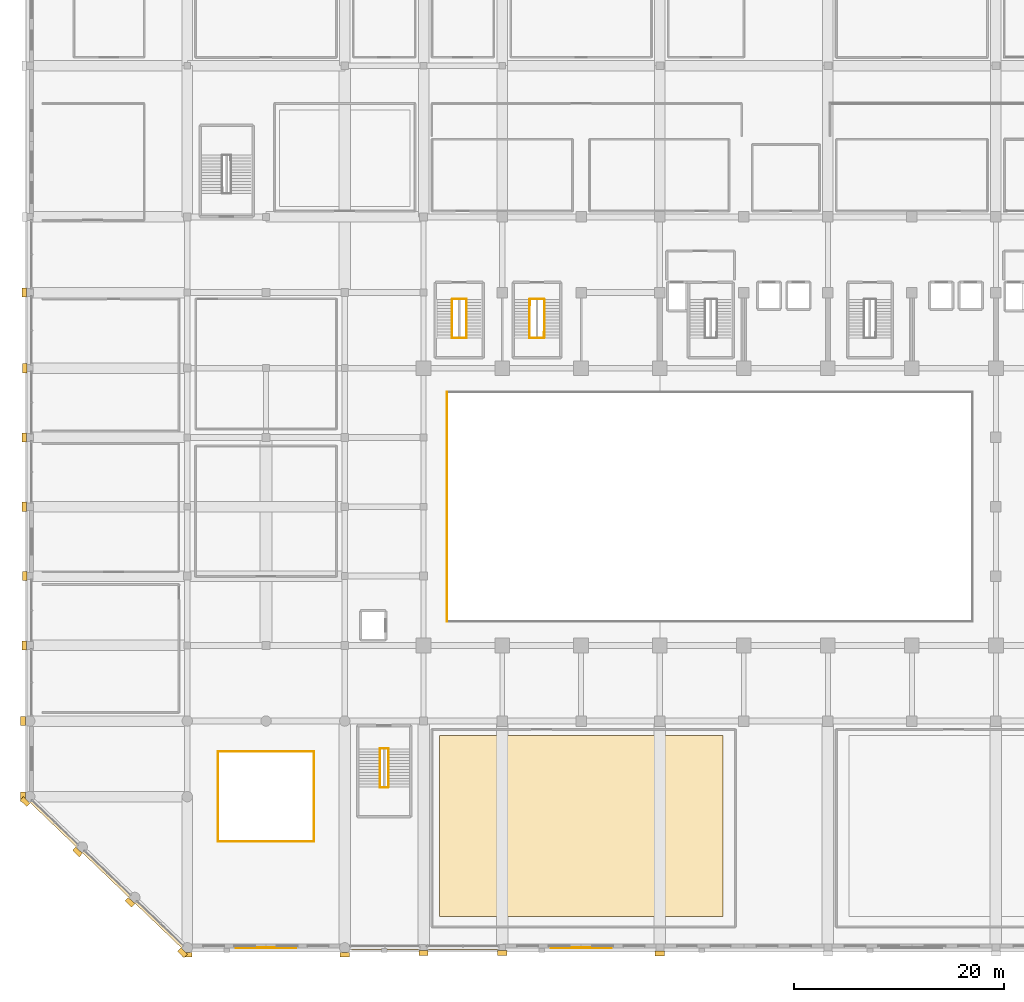
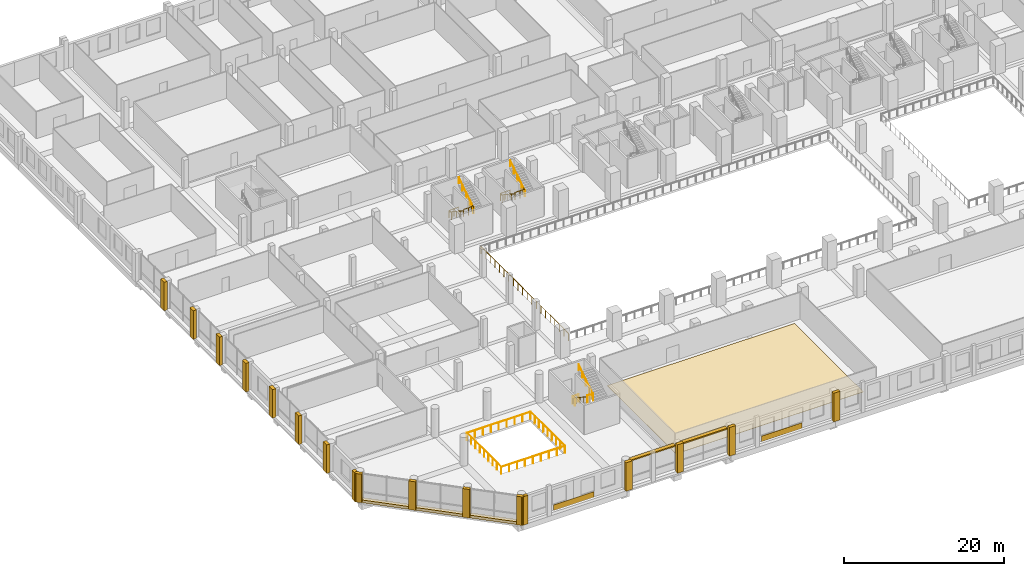
# One storey, part 56 of 64: 21 coverings, 17 railings, 2 shading devices.
"""IFC4 building model written with IfcOpenShell, lengths in metres."""

from ifc_helpers import new_model, si_unit, direction, frame, origin, origin_2d, place, context, subcontext, project, spatial, rectangle, circle, extrude, material, layer, layer_set, type_object, element, save


model = new_model("IFC4")

# Units and contexts
model_context = context("Model", 3, precision=1e-05, world=origin(), true_north=direction((0.0, 1.0)))
body_context = subcontext(model_context, "Body", "Model", "MODEL_VIEW")
ifc_project = project(units=[si_unit("LENGTHUNIT", "METRE"), si_unit("AREAUNIT", "SQUARE_METRE"), si_unit("VOLUMEUNIT", "CUBIC_METRE"), si_unit("PLANEANGLEUNIT", "RADIAN"), si_unit("MASSUNIT", "GRAM", prefix="KILO")], contexts=[model_context])

# Site, building, storey
site_placement = place(None, origin())
site = spatial("IfcSite", under=ifc_project, at=site_placement, CompositionType="ELEMENT")
building_placement = place(site_placement, origin())
building = spatial("IfcBuilding", under=site, at=building_placement, Name="Akrevak Sports Hall", CompositionType="ELEMENT")
storey_placement = place(building_placement, frame((0.0, 0.0, 4.60009765625)))
storey = spatial("IfcBuildingStorey", under=building, at=storey_placement, Name="L01", CompositionType="ELEMENT", Elevation=4.60009765625)

# Coverings
ifc_material_1 = material(Name="Travertine", Category="stone")
ifc_layer_1 = layer(ifc_material_1, 0.080078125, Name="Travertine")
ifc_layer_set_1 = layer_set([ifc_layer_1], Name="Travertine")
covering_type_1 = type_object("IfcCoveringType", Name="ARC-COV-CLAD-TRV", PredefinedType="CLADDING", material=ifc_layer_set_1)
for number, where, z_axis, x_axis, name in (
    (1, (22.5, 0.02001953125, 0.02490234375), (0.0, 0.0, 1.0), (1.0, 0.0, 0.0), "Rusticated Travertine Plinth Band S01"),
    (2, (52.5, 0.02001953125, 0.02490234375), (0.0, 0.0, 1.0), (1.0, 0.0, 0.0), "Rusticated Travertine Plinth Band S02"),
):
    element("IfcCovering", number, at=place(storey_placement, frame(where, z_axis=z_axis, x_axis=x_axis)), inside=storey, type_object=covering_type_1, Name=name, PredefinedType="CLADDING", context=body_context, shape_type="SweptSolid", body=[
        extrude(rectangle(XDim=5.800048828125, YDim=0.080078125, at=origin_2d()), origin(), (0.0, 0.0, 1.0), 0.85009765625),
    ])
ifc_material_2 = material(Name="Limestone Ashlar", Category="stone")
ifc_layer_2 = layer(ifc_material_2, 0.6201171875, Name="Limestone Ashlar")
ifc_layer_set_2 = layer_set([ifc_layer_2], Name="Limestone Ashlar")
covering_type_2 = type_object("IfcCoveringType", Name="ARC-COV-CRN-LIM", PredefinedType="MOLDING", material=ifc_layer_set_2)
covering_1_placement = place(storey_placement, frame((7.423828125, 7.12060546875, -0.330078125), z_axis=(0.0, 0.0, 1.0), x_axis=(0.721385636978, -0.692533582407, 0.0)))
element("IfcCovering", 3, at=covering_1_placement, inside=storey, type_object=covering_type_2, Name="Street Arcade Limestone Entablature L01-ARC-05", PredefinedType="MOLDING", context=body_context, shape_type="SweptSolid", body=[
    extrude(rectangle(XDim=21.324951171875, YDim=0.5400390625, at=origin_2d()), origin(), (0.0, 0.0, 1.0), 0.419921875),
])
ifc_material_3 = material(Name="Sprung Hard Maple Sports Flooring", Category="wood")
ifc_layer_3 = layer(ifc_material_3, 0.044921875, Name="Sprung Hard Maple Sports Flooring")
ifc_layer_set_3 = layer_set([ifc_layer_3], Name="Sprung Hard Maple Sports Flooring")
covering_type_3 = type_object("IfcCoveringType", Name="ARC-COV-FLR-MAPLE", PredefinedType="FLOORING", material=ifc_layer_set_3)
covering_2_placement = place(storey_placement, frame((52.5, 11.60009765625, 0.0), z_axis=(0.0, 0.0, 1.0), x_axis=(1.0, 0.0, 0.0)))
element("IfcCovering", 4, at=covering_2_placement, inside=storey, type_object=covering_type_3, Name="Fitness Studio 1 Athletic Flooring", PredefinedType="FLOORING", context=body_context, shape_type="SweptSolid", body=[
    extrude(rectangle(XDim=27.0, YDim=17.199951171875, at=origin_2d()), origin(), (0.0, 0.0, 1.0), 0.044921875),
])
ifc_layer_4 = layer(ifc_material_2, 0.47998046875, Name="Limestone Ashlar")
ifc_layer_set_4 = layer_set([ifc_layer_4], Name="Limestone Ashlar")
covering_type_4 = type_object("IfcCoveringType", Name="ARC-COV-PIL-LIM", PredefinedType="CLADDING", material=ifc_layer_set_4)
for number, where, z_axis, x_axis, name in (
    (5, (15.0, -0.64990234375, -0.000244140625), (0.0, 0.0, 1.0), (1.0, 0.0, 0.0), "Giant-Order Limestone Pilaster L01-01-01"),
    (6, (30.0, -0.64990234375, -0.000244140625), (0.0, 0.0, 1.0), (1.0, 0.0, 0.0), "Giant-Order Limestone Pilaster L01-01-02"),
    (7, (37.5, -0.47509765625, -0.000244140625), (0.0, 0.0, 1.0), (1.0, 0.0, 0.0), "Giant-Order Limestone Pilaster L01-01-03"),
    (8, (45.0, -0.47509765625, -0.000244140625), (0.0, 0.0, 1.0), (1.0, 0.0, 0.0), "Giant-Order Limestone Pilaster L01-01-04"),
    (9, (60.0, -0.52490234375, -0.000244140625), (0.0, 0.0, 1.0), (1.0, 0.0, 0.0), "Giant-Order Limestone Pilaster L01-01-05"),
    (10, (-0.64990234375, 14.39990234375, -0.000244140625), (0.0, 0.0, 1.0), (0.0, -1.0, 0.0), "Giant-Order Limestone Pilaster L01-04-39"),
    (11, (-0.64990234375, 21.60009765625, -0.000244140625), (0.0, 0.0, 1.0), (0.0, -1.0, 0.0), "Giant-Order Limestone Pilaster L01-04-40"),
    (12, (-0.52490234375, 28.800048828125, -0.000244140625), (0.0, 0.0, 1.0), (0.0, -1.0, 0.0), "Giant-Order Limestone Pilaster L01-04-41"),
    (13, (-0.47509765625, 35.39990234375, -0.000244140625), (0.0, 0.0, 1.0), (0.0, -1.0, 0.0), "Giant-Order Limestone Pilaster L01-04-42"),
    (14, (-0.52490234375, 42.0, -0.000244140625), (0.0, 0.0, 1.0), (0.0, -1.0, 0.0), "Giant-Order Limestone Pilaster L01-04-43"),
    (15, (-0.52490234375, 48.60009765625, -0.000244140625), (0.0, 0.0, 1.0), (0.0, -1.0, 0.0), "Giant-Order Limestone Pilaster L01-04-44"),
    (16, (-0.47509765625, 55.199951171875, -0.000244140625), (0.0, 0.0, 1.0), (0.0, -1.0, 0.0), "Giant-Order Limestone Pilaster L01-04-45"),
    (17, (-0.52490234375, 62.39990234375, -0.000244140625), (0.0, 0.0, 1.0), (0.0, -1.0, 0.0), "Giant-Order Limestone Pilaster L01-04-46"),
    (18, (-0.4501953125, 13.93115234375, -0.000244140625), (0.0, 0.0, 1.0), (0.721385636978, -0.692533582407, 0.0), "Giant-Order Limestone Pilaster L01-05-49"),
    (19, (4.5498046875, 9.131103515625, -0.000244140625), (0.0, 0.0, 1.0), (0.721385636978, -0.692533582407, 0.0), "Giant-Order Limestone Pilaster L01-05-50"),
    (20, (9.5498046875, 4.3310546875, -0.000244140625), (0.0, 0.0, 1.0), (0.721385636978, -0.692533582407, 0.0), "Giant-Order Limestone Pilaster L01-05-51"),
    (21, (14.5498046875, -0.468994140625, -0.000244140625), (0.0, 0.0, 1.0), (0.721385636978, -0.692533582407, 0.0), "Giant-Order Limestone Pilaster L01-05-51"),
):
    element("IfcCovering", number, at=place(storey_placement, frame(where, z_axis=z_axis, x_axis=x_axis)), inside=storey, type_object=covering_type_4, Name=name, PredefinedType="CLADDING", context=body_context, shape_type="SweptSolid", body=[
        extrude(rectangle(XDim=0.8798828125, YDim=0.4599609375, at=origin_2d()), origin(), (0.0, 0.0, 1.0), 4.35009765625),
    ])

# Railings
ifc_material_4 = material(Name="Painted Architectural Balustrade Steel", Category="steel")
ifc_layer_5 = layer(ifc_material_4, 0.06005859375, Name="Painted Architectural Balustrade Steel")
ifc_layer_set_5 = layer_set([ifc_layer_5], Name="Painted Architectural Balustrade Steel")
railing_type_1 = type_object("IfcRailingType", Name="ARC-RL-GRD-1120", PredefinedType="GUARDRAIL", material=ifc_layer_set_5)
railing_1_placement = place(storey_placement, frame((47.6201171875, 61.215087890625, 0.0)))
element("IfcRailing", 22, at=railing_1_placement, inside=storey, type_object=railing_type_1, Name="Stair Floor Landing Well Guard ST4 (L01)", PredefinedType="GUARDRAIL", context=body_context, shape_type="SweptSolid", body=[
    extrude(circle(Radius=0.02392578125, at=origin_2d()), frame((0.0, 0.0, 1.09619140625), z_axis=(0.0, 1.0, 0.0), x_axis=(-1.0, 0.0, 0.0)), (0.0, 0.0, 1.0), 0.5498046875),
    extrude(circle(Radius=0.02392578125, at=origin_2d()), frame((0.0, 0.5498046875, 1.09619140625), z_axis=(1.0, 0.0, 0.0), x_axis=(0.0, 1.0, 0.0)), (0.0, 0.0, 1.0), 1.389892578125),
    extrude(circle(Radius=0.02099609375, at=origin_2d()), origin(), (0.0, 0.0, 1.0), 1.072021484375),
    extrude(circle(Radius=0.02099609375, at=origin_2d()), frame((0.0, 0.5498046875, 0.0)), (0.0, 0.0, 1.0), 1.072021484375),
    extrude(circle(Radius=0.02099609375, at=origin_2d()), frame((0.69482421875, 0.5498046875, 0.0)), (0.0, 0.0, 1.0), 1.072021484375),
    extrude(circle(Radius=0.02099609375, at=origin_2d()), frame((1.389892578125, 0.5498046875, 0.0)), (0.0, 0.0, 1.0), 1.072021484375),
])
railing_2_placement = place(storey_placement, frame((47.590087890625, 58.06494140625, 2.39990234375)))
element("IfcRailing", 23, at=railing_2_placement, inside=storey, type_object=railing_type_1, Name="Stair Landing Well Guard ST4-L01-1", PredefinedType="GUARDRAIL", context=body_context, shape_type="SweptSolid", body=[
    extrude(circle(Radius=0.02392578125, at=origin_2d()), frame((0.0, 0.0, 1.09619140625), z_axis=(1.0, 0.0, 0.0), x_axis=(0.0, 1.0, 0.0)), (0.0, 0.0, 1.0), 1.389892578125),
    extrude(circle(Radius=0.02392578125, at=origin_2d()), frame((1.389892578125, 0.0, 1.09619140625), z_axis=(0.0, 1.0, 0.0), x_axis=(-1.0, 0.0, 0.0)), (0.0, 0.0, 1.0), 0.52001953125),
    extrude(circle(Radius=0.02099609375, at=origin_2d()), origin(), (0.0, 0.0, 1.0), 1.072021484375),
    extrude(circle(Radius=0.02099609375, at=origin_2d()), frame((0.69482421875, 0.0, 0.0)), (0.0, 0.0, 1.0), 1.072021484375),
    extrude(circle(Radius=0.02099609375, at=origin_2d()), frame((1.389892578125, 0.0, 0.0)), (0.0, 0.0, 1.0), 1.072021484375),
    extrude(circle(Radius=0.02099609375, at=origin_2d()), frame((1.389892578125, 0.52001953125, 0.0)), (0.0, 0.0, 1.0), 1.072021484375),
])
railing_3_placement = place(storey_placement, frame((33.360107421875, 18.429931640625, 0.0)))
element("IfcRailing", 24, at=railing_3_placement, inside=storey, type_object=railing_type_1, Name="Stair Floor Landing Well Guard ST5 (L01)", PredefinedType="GUARDRAIL", context=body_context, shape_type="SweptSolid", body=[
    extrude(circle(Radius=0.02392578125, at=origin_2d()), frame((0.0, 0.0, 1.09619140625), z_axis=(0.0, 1.0, 0.0), x_axis=(-1.0, 0.0, 0.0)), (0.0, 0.0, 1.0), 0.550048828125),
    extrude(circle(Radius=0.02392578125, at=origin_2d()), frame((0.0, 0.550048828125, 1.09619140625), z_axis=(1.0, 0.0, 0.0), x_axis=(0.0, 1.0, 0.0)), (0.0, 0.0, 1.0), 0.809814453125),
    extrude(circle(Radius=0.02099609375, at=origin_2d()), origin(), (0.0, 0.0, 1.0), 1.072021484375),
    extrude(circle(Radius=0.02099609375, at=origin_2d()), frame((0.0, 0.550048828125, 0.0)), (0.0, 0.0, 1.0), 1.072021484375),
    extrude(circle(Radius=0.02099609375, at=origin_2d()), frame((0.809814453125, 0.550048828125, 0.0)), (0.0, 0.0, 1.0), 1.072021484375),
])
railing_4_placement = place(storey_placement, frame((33.330078125, 15.280029296875, 2.39990234375)))
element("IfcRailing", 25, at=railing_4_placement, inside=storey, type_object=railing_type_1, Name="Stair Landing Well Guard ST5-L01-1", PredefinedType="GUARDRAIL", context=body_context, shape_type="SweptSolid", body=[
    extrude(circle(Radius=0.02392578125, at=origin_2d()), frame((0.0, 0.0, 1.09619140625), z_axis=(1.0, 0.0, 0.0), x_axis=(0.0, 1.0, 0.0)), (0.0, 0.0, 1.0), 0.809814453125),
    extrude(circle(Radius=0.02392578125, at=origin_2d()), frame((0.809814453125, 0.0, 1.09619140625), z_axis=(0.0, 1.0, 0.0), x_axis=(-1.0, 0.0, 0.0)), (0.0, 0.0, 1.0), 0.52001953125),
    extrude(circle(Radius=0.02099609375, at=origin_2d()), origin(), (0.0, 0.0, 1.0), 1.072021484375),
    extrude(circle(Radius=0.02099609375, at=origin_2d()), frame((0.809814453125, 0.0, 0.0)), (0.0, 0.0, 1.0), 1.072021484375),
    extrude(circle(Radius=0.02099609375, at=origin_2d()), frame((0.809814453125, 0.52001953125, 0.0)), (0.0, 0.0, 1.0), 1.072021484375),
])
railing_5_placement = place(storey_placement, frame((40.219970703125, 61.215087890625, 0.0)))
element("IfcRailing", 26, at=railing_5_placement, inside=storey, type_object=railing_type_1, Name="Stair Floor Landing Well Guard ST9 (L01)", PredefinedType="GUARDRAIL", context=body_context, shape_type="SweptSolid", body=[
    extrude(circle(Radius=0.02392578125, at=origin_2d()), frame((0.0, 0.0, 1.09619140625), z_axis=(0.0, 1.0, 0.0), x_axis=(-1.0, 0.0, 0.0)), (0.0, 0.0, 1.0), 0.5498046875),
    extrude(circle(Radius=0.02392578125, at=origin_2d()), frame((0.0, 0.5498046875, 1.09619140625), z_axis=(1.0, 0.0, 0.0), x_axis=(0.0, 1.0, 0.0)), (0.0, 0.0, 1.0), 1.39013671875),
    extrude(circle(Radius=0.02099609375, at=origin_2d()), origin(), (0.0, 0.0, 1.0), 1.072021484375),
    extrude(circle(Radius=0.02099609375, at=origin_2d()), frame((0.0, 0.5498046875, 0.0)), (0.0, 0.0, 1.0), 1.072021484375),
    extrude(circle(Radius=0.02099609375, at=origin_2d()), frame((0.695068359375, 0.5498046875, 0.0)), (0.0, 0.0, 1.0), 1.072021484375),
    extrude(circle(Radius=0.02099609375, at=origin_2d()), frame((1.39013671875, 0.5498046875, 0.0)), (0.0, 0.0, 1.0), 1.072021484375),
])
railing_6_placement = place(storey_placement, frame((40.18994140625, 58.06494140625, 2.39990234375)))
element("IfcRailing", 27, at=railing_6_placement, inside=storey, type_object=railing_type_1, Name="Stair Landing Well Guard ST9-L01-1", PredefinedType="GUARDRAIL", context=body_context, shape_type="SweptSolid", body=[
    extrude(circle(Radius=0.02392578125, at=origin_2d()), frame((0.0, 0.0, 1.09619140625), z_axis=(1.0, 0.0, 0.0), x_axis=(0.0, 1.0, 0.0)), (0.0, 0.0, 1.0), 1.39013671875),
    extrude(circle(Radius=0.02392578125, at=origin_2d()), frame((1.39013671875, 0.0, 1.09619140625), z_axis=(0.0, 1.0, 0.0), x_axis=(-1.0, 0.0, 0.0)), (0.0, 0.0, 1.0), 0.52001953125),
    extrude(circle(Radius=0.02099609375, at=origin_2d()), origin(), (0.0, 0.0, 1.0), 1.072021484375),
    extrude(circle(Radius=0.02099609375, at=origin_2d()), frame((0.695068359375, 0.0, 0.0)), (0.0, 0.0, 1.0), 1.072021484375),
    extrude(circle(Radius=0.02099609375, at=origin_2d()), frame((1.39013671875, 0.0, 0.0)), (0.0, 0.0, 1.0), 1.072021484375),
    extrude(circle(Radius=0.02099609375, at=origin_2d()), frame((1.39013671875, 0.52001953125, 0.0)), (0.0, 0.0, 1.0), 1.072021484375),
])
ifc_material_5 = material(Name="Anodized Bronze Aluminium & Laminated Glass", Category="aluminium")
ifc_layer_6 = layer(ifc_material_5, 0.080078125, Name="Anodized Bronze Aluminium & Laminated Glass")
ifc_layer_set_6 = layer_set([ifc_layer_6], Name="Anodized Bronze Aluminium & Laminated Glass")
railing_type_2 = type_object("IfcRailingType", Name="ARC-RL-GRD-1150", PredefinedType="GUARDRAIL", material=ifc_layer_set_6)
railing_7_placement = place(storey_placement, frame((39.719970703125, 52.929931640625, 0.0)))
element("IfcRailing", 28, at=railing_7_placement, inside=storey, type_object=railing_type_2, Name="Atrium/Arena Gallery Guardrail L01-HB1-W", PredefinedType="GUARDRAIL", context=body_context, shape_type="SweptSolid", body=[
    extrude(circle(Radius=0.02392578125, at=origin_2d()), frame((0.0, 0.0, 1.1259765625), z_axis=(0.0, -1.0, 0.0), x_axis=(1.0, 0.0, 0.0)), (0.0, 0.0, 1.0), 21.85986328125),
    extrude(circle(Radius=0.02099609375, at=origin_2d()), origin(), (0.0, 0.0, 1.0), 1.101806640625),
    extrude(circle(Radius=0.02099609375, at=origin_2d()), frame((0.0, -1.150634765625, 0.0)), (0.0, 0.0, 1.0), 1.101806640625),
    extrude(circle(Radius=0.02099609375, at=origin_2d()), frame((0.0, -2.301025390625, 0.0)), (0.0, 0.0, 1.0), 1.101806640625),
    extrude(circle(Radius=0.02099609375, at=origin_2d()), frame((0.0, -3.45166015625, 0.0)), (0.0, 0.0, 1.0), 1.101806640625),
    extrude(circle(Radius=0.02099609375, at=origin_2d()), frame((0.0, -4.60205078125, 0.0)), (0.0, 0.0, 1.0), 1.101806640625),
    extrude(circle(Radius=0.02099609375, at=origin_2d()), frame((0.0, -5.752685546875, 0.0)), (0.0, 0.0, 1.0), 1.101806640625),
    extrude(circle(Radius=0.02099609375, at=origin_2d()), frame((0.0, -6.903076171875, 0.0)), (0.0, 0.0, 1.0), 1.101806640625),
    extrude(circle(Radius=0.02099609375, at=origin_2d()), frame((0.0, -8.0537109375, 0.0)), (0.0, 0.0, 1.0), 1.101806640625),
    extrude(circle(Radius=0.02099609375, at=origin_2d()), frame((0.0, -9.2041015625, 0.0)), (0.0, 0.0, 1.0), 1.101806640625),
    extrude(circle(Radius=0.02099609375, at=origin_2d()), frame((0.0, -10.354736328125, 0.0)), (0.0, 0.0, 1.0), 1.101806640625),
    extrude(circle(Radius=0.02099609375, at=origin_2d()), frame((0.0, -11.505126953125, 0.0)), (0.0, 0.0, 1.0), 1.101806640625),
    extrude(circle(Radius=0.02099609375, at=origin_2d()), frame((0.0, -12.65576171875, 0.0)), (0.0, 0.0, 1.0), 1.101806640625),
    extrude(circle(Radius=0.02099609375, at=origin_2d()), frame((0.0, -13.80615234375, 0.0)), (0.0, 0.0, 1.0), 1.101806640625),
    extrude(circle(Radius=0.02099609375, at=origin_2d()), frame((0.0, -14.956787109375, 0.0)), (0.0, 0.0, 1.0), 1.101806640625),
    extrude(circle(Radius=0.02099609375, at=origin_2d()), frame((0.0, -16.107177734375, 0.0)), (0.0, 0.0, 1.0), 1.101806640625),
    extrude(circle(Radius=0.02099609375, at=origin_2d()), frame((0.0, -17.2578125, 0.0)), (0.0, 0.0, 1.0), 1.101806640625),
    extrude(circle(Radius=0.02099609375, at=origin_2d()), frame((0.0, -18.408203125, 0.0)), (0.0, 0.0, 1.0), 1.101806640625),
    extrude(circle(Radius=0.02099609375, at=origin_2d()), frame((0.0, -19.558837890625, 0.0)), (0.0, 0.0, 1.0), 1.101806640625),
    extrude(circle(Radius=0.02099609375, at=origin_2d()), frame((0.0, -20.709228515625, 0.0)), (0.0, 0.0, 1.0), 1.101806640625),
    extrude(circle(Radius=0.02099609375, at=origin_2d()), frame((0.0, -21.85986328125, 0.0)), (0.0, 0.0, 1.0), 1.101806640625),
])
railing_8_placement = place(storey_placement, frame((17.919921875, 10.1201171875, 0.0)))
element("IfcRailing", 29, at=railing_8_placement, inside=storey, type_object=railing_type_2, Name="Atrium/Arena Gallery Guardrail L01-ROT-S", PredefinedType="GUARDRAIL", context=body_context, shape_type="SweptSolid", body=[
    extrude(circle(Radius=0.02392578125, at=origin_2d()), frame((0.0, 0.0, 1.1259765625), z_axis=(1.0, 0.0, 0.0), x_axis=(0.0, 1.0, 0.0)), (0.0, 0.0, 1.0), 9.16015625),
    extrude(circle(Radius=0.02099609375, at=origin_2d()), origin(), (0.0, 0.0, 1.0), 1.101806640625),
    extrude(circle(Radius=0.02099609375, at=origin_2d()), frame((1.14501953125, 0.0, 0.0)), (0.0, 0.0, 1.0), 1.101806640625),
    extrude(circle(Radius=0.02099609375, at=origin_2d()), frame((2.2900390625, 0.0, 0.0)), (0.0, 0.0, 1.0), 1.101806640625),
    extrude(circle(Radius=0.02099609375, at=origin_2d()), frame((3.43505859375, 0.0, 0.0)), (0.0, 0.0, 1.0), 1.101806640625),
    extrude(circle(Radius=0.02099609375, at=origin_2d()), frame((4.580078125, 0.0, 0.0)), (0.0, 0.0, 1.0), 1.101806640625),
    extrude(circle(Radius=0.02099609375, at=origin_2d()), frame((5.72509765625, 0.0, 0.0)), (0.0, 0.0, 1.0), 1.101806640625),
    extrude(circle(Radius=0.02099609375, at=origin_2d()), frame((6.8701171875, 0.0, 0.0)), (0.0, 0.0, 1.0), 1.101806640625),
    extrude(circle(Radius=0.02099609375, at=origin_2d()), frame((8.01513671875, 0.0, 0.0)), (0.0, 0.0, 1.0), 1.101806640625),
    extrude(circle(Radius=0.02099609375, at=origin_2d()), frame((9.16015625, 0.0, 0.0)), (0.0, 0.0, 1.0), 1.101806640625),
])
railing_9_placement = place(storey_placement, frame((27.080078125, 18.679931640625, 0.0)))
element("IfcRailing", 30, at=railing_9_placement, inside=storey, type_object=railing_type_2, Name="Atrium/Arena Gallery Guardrail L01-ROT-N", PredefinedType="GUARDRAIL", context=body_context, shape_type="SweptSolid", body=[
    extrude(circle(Radius=0.02392578125, at=origin_2d()), frame((0.0, 0.0, 1.1259765625), z_axis=(-1.0, 0.0, 0.0), x_axis=(0.0, -1.0, 0.0)), (0.0, 0.0, 1.0), 9.16015625),
    extrude(circle(Radius=0.02099609375, at=origin_2d()), origin(), (0.0, 0.0, 1.0), 1.101806640625),
    extrude(circle(Radius=0.02099609375, at=origin_2d()), frame((-1.14501953125, 0.0, 0.0)), (0.0, 0.0, 1.0), 1.101806640625),
    extrude(circle(Radius=0.02099609375, at=origin_2d()), frame((-2.2900390625, 0.0, 0.0)), (0.0, 0.0, 1.0), 1.101806640625),
    extrude(circle(Radius=0.02099609375, at=origin_2d()), frame((-3.43505859375, 0.0, 0.0)), (0.0, 0.0, 1.0), 1.101806640625),
    extrude(circle(Radius=0.02099609375, at=origin_2d()), frame((-4.580078125, 0.0, 0.0)), (0.0, 0.0, 1.0), 1.101806640625),
    extrude(circle(Radius=0.02099609375, at=origin_2d()), frame((-5.72509765625, 0.0, 0.0)), (0.0, 0.0, 1.0), 1.101806640625),
    extrude(circle(Radius=0.02099609375, at=origin_2d()), frame((-6.8701171875, 0.0, 0.0)), (0.0, 0.0, 1.0), 1.101806640625),
    extrude(circle(Radius=0.02099609375, at=origin_2d()), frame((-8.01513671875, 0.0, 0.0)), (0.0, 0.0, 1.0), 1.101806640625),
    extrude(circle(Radius=0.02099609375, at=origin_2d()), frame((-9.16015625, 0.0, 0.0)), (0.0, 0.0, 1.0), 1.101806640625),
])
railing_10_placement = place(storey_placement, frame((17.919921875, 18.679931640625, 0.0)))
element("IfcRailing", 31, at=railing_10_placement, inside=storey, type_object=railing_type_2, Name="Atrium/Arena Gallery Guardrail L01-ROT-W", PredefinedType="GUARDRAIL", context=body_context, shape_type="SweptSolid", body=[
    extrude(circle(Radius=0.02392578125, at=origin_2d()), frame((0.0, 0.0, 1.1259765625), z_axis=(0.0, -1.0, 0.0), x_axis=(1.0, 0.0, 0.0)), (0.0, 0.0, 1.0), 8.559814453125),
    extrude(circle(Radius=0.02099609375, at=origin_2d()), origin(), (0.0, 0.0, 1.0), 1.101806640625),
    extrude(circle(Radius=0.02099609375, at=origin_2d()), frame((0.0, -1.070068359375, 0.0)), (0.0, 0.0, 1.0), 1.101806640625),
    extrude(circle(Radius=0.02099609375, at=origin_2d()), frame((0.0, -2.139892578125, 0.0)), (0.0, 0.0, 1.0), 1.101806640625),
    extrude(circle(Radius=0.02099609375, at=origin_2d()), frame((0.0, -3.2099609375, 0.0)), (0.0, 0.0, 1.0), 1.101806640625),
    extrude(circle(Radius=0.02099609375, at=origin_2d()), frame((0.0, -4.27978515625, 0.0)), (0.0, 0.0, 1.0), 1.101806640625),
    extrude(circle(Radius=0.02099609375, at=origin_2d()), frame((0.0, -5.349853515625, 0.0)), (0.0, 0.0, 1.0), 1.101806640625),
    extrude(circle(Radius=0.02099609375, at=origin_2d()), frame((0.0, -6.419921875, 0.0)), (0.0, 0.0, 1.0), 1.101806640625),
    extrude(circle(Radius=0.02099609375, at=origin_2d()), frame((0.0, -7.48974609375, 0.0)), (0.0, 0.0, 1.0), 1.101806640625),
    extrude(circle(Radius=0.02099609375, at=origin_2d()), frame((0.0, -8.559814453125, 0.0)), (0.0, 0.0, 1.0), 1.101806640625),
])
railing_11_placement = place(storey_placement, frame((27.080078125, 10.1201171875, 0.0)))
element("IfcRailing", 32, at=railing_11_placement, inside=storey, type_object=railing_type_2, Name="Atrium/Arena Gallery Guardrail L01-ROT-E", PredefinedType="GUARDRAIL", context=body_context, shape_type="SweptSolid", body=[
    extrude(circle(Radius=0.02392578125, at=origin_2d()), frame((0.0, 0.0, 1.1259765625), z_axis=(0.0, 1.0, 0.0), x_axis=(-1.0, 0.0, 0.0)), (0.0, 0.0, 1.0), 8.559814453125),
    extrude(circle(Radius=0.02099609375, at=origin_2d()), origin(), (0.0, 0.0, 1.0), 1.101806640625),
    extrude(circle(Radius=0.02099609375, at=origin_2d()), frame((0.0, 1.070068359375, 0.0)), (0.0, 0.0, 1.0), 1.101806640625),
    extrude(circle(Radius=0.02099609375, at=origin_2d()), frame((0.0, 2.139892578125, 0.0)), (0.0, 0.0, 1.0), 1.101806640625),
    extrude(circle(Radius=0.02099609375, at=origin_2d()), frame((0.0, 3.2099609375, 0.0)), (0.0, 0.0, 1.0), 1.101806640625),
    extrude(circle(Radius=0.02099609375, at=origin_2d()), frame((0.0, 4.27978515625, 0.0)), (0.0, 0.0, 1.0), 1.101806640625),
    extrude(circle(Radius=0.02099609375, at=origin_2d()), frame((0.0, 5.349853515625, 0.0)), (0.0, 0.0, 1.0), 1.101806640625),
    extrude(circle(Radius=0.02099609375, at=origin_2d()), frame((0.0, 6.419921875, 0.0)), (0.0, 0.0, 1.0), 1.101806640625),
    extrude(circle(Radius=0.02099609375, at=origin_2d()), frame((0.0, 7.48974609375, 0.0)), (0.0, 0.0, 1.0), 1.101806640625),
    extrude(circle(Radius=0.02099609375, at=origin_2d()), frame((0.0, 8.559814453125, 0.0)), (0.0, 0.0, 1.0), 1.101806640625),
])
ifc_material_6 = material(Name="Brushed Stainless Steel 304", Category="steel")
ifc_layer_7 = layer(ifc_material_6, 0.050048828125, Name="Brushed Stainless Steel 304")
ifc_layer_set_7 = layer_set([ifc_layer_7], Name="Brushed Stainless Steel 304")
railing_type_3 = type_object("IfcRailingType", Name="ARC-RL-HND-900", PredefinedType="HANDRAIL", material=ifc_layer_set_7)
railing_12_placement = place(storey_placement, frame((47.590087890625, 61.735107421875, 0.0)))
element("IfcRailing", 33, at=railing_12_placement, inside=storey, type_object=railing_type_3, Name="Stair Handrail ST4-L01-F1", PredefinedType="HANDRAIL", context=body_context, shape_type="SweptSolid", body=[
    extrude(circle(Radius=0.02392578125, at=origin_2d()), frame((0.0, 0.0, 0.8759765625), z_axis=(0.0, -0.83488217925, 0.55042869363), x_axis=(1.0, 0.0, 0.0)), (0.0, 0.0, 1.0), 4.360107421875),
    extrude(circle(Radius=0.02099609375, at=origin_2d()), origin(), (0.0, 0.0, 1.0), 0.851806640625),
    extrude(circle(Radius=0.02099609375, at=origin_2d()), frame((0.0, -0.91015625, 0.60009765625)), (0.0, 0.0, 1.0), 0.851806640625),
    extrude(circle(Radius=0.02099609375, at=origin_2d()), frame((0.0, -1.820068359375, 1.199951171875)), (0.0, 0.0, 1.0), 0.851806640625),
    extrude(circle(Radius=0.02099609375, at=origin_2d()), frame((0.0, -2.72998046875, 1.7998046875)), (0.0, 0.0, 1.0), 0.851806640625),
    extrude(circle(Radius=0.02099609375, at=origin_2d()), frame((0.0, -3.64013671875, 2.39990234375)), (0.0, 0.0, 1.0), 0.851806640625),
])
railing_13_placement = place(storey_placement, frame((49.010009765625, 58.094970703125, 2.39990234375)))
element("IfcRailing", 34, at=railing_13_placement, inside=storey, type_object=railing_type_3, Name="Stair Handrail ST4-L01-F2", PredefinedType="HANDRAIL", context=body_context, shape_type="SweptSolid", body=[
    extrude(circle(Radius=0.02392578125, at=origin_2d()), frame((0.0, 0.0, 0.8759765625), z_axis=(0.0, 0.83488217925, 0.55042869363), x_axis=(-1.0, 0.0, 0.0)), (0.0, 0.0, 1.0), 4.360107421875),
    extrude(circle(Radius=0.02099609375, at=origin_2d()), origin(), (0.0, 0.0, 1.0), 0.851806640625),
    extrude(circle(Radius=0.02099609375, at=origin_2d()), frame((0.0, 0.91015625, 0.60009765625)), (0.0, 0.0, 1.0), 0.851806640625),
    extrude(circle(Radius=0.02099609375, at=origin_2d()), frame((0.0, 1.820068359375, 1.199951171875)), (0.0, 0.0, 1.0), 0.851806640625),
    extrude(circle(Radius=0.02099609375, at=origin_2d()), frame((0.0, 2.72998046875, 1.7998046875)), (0.0, 0.0, 1.0), 0.851806640625),
    extrude(circle(Radius=0.02099609375, at=origin_2d()), frame((0.0, 3.64013671875, 2.39990234375)), (0.0, 0.0, 1.0), 0.851806640625),
])
railing_14_placement = place(storey_placement, frame((33.330078125, 18.949951171875, 0.0)))
element("IfcRailing", 35, at=railing_14_placement, inside=storey, type_object=railing_type_3, Name="Stair Handrail ST5-L01-F1", PredefinedType="HANDRAIL", context=body_context, shape_type="SweptSolid", body=[
    extrude(circle(Radius=0.02392578125, at=origin_2d()), frame((0.0, 0.0, 0.8759765625), z_axis=(0.0, -0.834865213223, 0.550454426587), x_axis=(1.0, 0.0, 0.0)), (0.0, 0.0, 1.0), 4.35986328125),
    extrude(circle(Radius=0.02099609375, at=origin_2d()), origin(), (0.0, 0.0, 1.0), 0.851806640625),
    extrude(circle(Radius=0.02099609375, at=origin_2d()), frame((0.0, -0.909912109375, 0.60009765625)), (0.0, 0.0, 1.0), 0.851806640625),
    extrude(circle(Radius=0.02099609375, at=origin_2d()), frame((0.0, -1.81982421875, 1.199951171875)), (0.0, 0.0, 1.0), 0.851806640625),
    extrude(circle(Radius=0.02099609375, at=origin_2d()), frame((0.0, -2.72998046875, 1.7998046875)), (0.0, 0.0, 1.0), 0.851806640625),
    extrude(circle(Radius=0.02099609375, at=origin_2d()), frame((0.0, -3.639892578125, 2.39990234375)), (0.0, 0.0, 1.0), 0.851806640625),
])
railing_15_placement = place(storey_placement, frame((34.169921875, 15.31005859375, 2.39990234375)))
element("IfcRailing", 36, at=railing_15_placement, inside=storey, type_object=railing_type_3, Name="Stair Handrail ST5-L01-F2", PredefinedType="HANDRAIL", context=body_context, shape_type="SweptSolid", body=[
    extrude(circle(Radius=0.02392578125, at=origin_2d()), frame((0.0, 0.0, 0.8759765625), z_axis=(0.0, 0.834865213223, 0.550454426587), x_axis=(-1.0, 0.0, 0.0)), (0.0, 0.0, 1.0), 4.35986328125),
    extrude(circle(Radius=0.02099609375, at=origin_2d()), origin(), (0.0, 0.0, 1.0), 0.851806640625),
    extrude(circle(Radius=0.02099609375, at=origin_2d()), frame((0.0, 0.909912109375, 0.60009765625)), (0.0, 0.0, 1.0), 0.851806640625),
    extrude(circle(Radius=0.02099609375, at=origin_2d()), frame((0.0, 1.81982421875, 1.199951171875)), (0.0, 0.0, 1.0), 0.851806640625),
    extrude(circle(Radius=0.02099609375, at=origin_2d()), frame((0.0, 2.72998046875, 1.7998046875)), (0.0, 0.0, 1.0), 0.851806640625),
    extrude(circle(Radius=0.02099609375, at=origin_2d()), frame((0.0, 3.639892578125, 2.39990234375)), (0.0, 0.0, 1.0), 0.851806640625),
])
railing_16_placement = place(storey_placement, frame((40.18994140625, 61.735107421875, 0.0)))
element("IfcRailing", 37, at=railing_16_placement, inside=storey, type_object=railing_type_3, Name="Stair Handrail ST9-L01-F1", PredefinedType="HANDRAIL", context=body_context, shape_type="SweptSolid", body=[
    extrude(circle(Radius=0.02392578125, at=origin_2d()), frame((0.0, 0.0, 0.8759765625), z_axis=(0.0, -0.83488217925, 0.55042869363), x_axis=(1.0, 0.0, 0.0)), (0.0, 0.0, 1.0), 4.360107421875),
    extrude(circle(Radius=0.02099609375, at=origin_2d()), origin(), (0.0, 0.0, 1.0), 0.851806640625),
    extrude(circle(Radius=0.02099609375, at=origin_2d()), frame((0.0, -0.91015625, 0.60009765625)), (0.0, 0.0, 1.0), 0.851806640625),
    extrude(circle(Radius=0.02099609375, at=origin_2d()), frame((0.0, -1.820068359375, 1.199951171875)), (0.0, 0.0, 1.0), 0.851806640625),
    extrude(circle(Radius=0.02099609375, at=origin_2d()), frame((0.0, -2.72998046875, 1.7998046875)), (0.0, 0.0, 1.0), 0.851806640625),
    extrude(circle(Radius=0.02099609375, at=origin_2d()), frame((0.0, -3.64013671875, 2.39990234375)), (0.0, 0.0, 1.0), 0.851806640625),
])
railing_17_placement = place(storey_placement, frame((41.610107421875, 58.094970703125, 2.39990234375)))
element("IfcRailing", 38, at=railing_17_placement, inside=storey, type_object=railing_type_3, Name="Stair Handrail ST9-L01-F2", PredefinedType="HANDRAIL", context=body_context, shape_type="SweptSolid", body=[
    extrude(circle(Radius=0.02392578125, at=origin_2d()), frame((0.0, 0.0, 0.8759765625), z_axis=(0.0, 0.83488217925, 0.55042869363), x_axis=(-1.0, 0.0, 0.0)), (0.0, 0.0, 1.0), 4.360107421875),
    extrude(circle(Radius=0.02099609375, at=origin_2d()), origin(), (0.0, 0.0, 1.0), 0.851806640625),
    extrude(circle(Radius=0.02099609375, at=origin_2d()), frame((0.0, 0.91015625, 0.60009765625)), (0.0, 0.0, 1.0), 0.851806640625),
    extrude(circle(Radius=0.02099609375, at=origin_2d()), frame((0.0, 1.820068359375, 1.199951171875)), (0.0, 0.0, 1.0), 0.851806640625),
    extrude(circle(Radius=0.02099609375, at=origin_2d()), frame((0.0, 2.72998046875, 1.7998046875)), (0.0, 0.0, 1.0), 0.851806640625),
    extrude(circle(Radius=0.02099609375, at=origin_2d()), frame((0.0, 3.64013671875, 2.39990234375)), (0.0, 0.0, 1.0), 0.851806640625),
])

# Shading devices
ifc_material_7 = material(Name="Anodized Bronze Aluminium", Category="aluminium")
shading_device_type = type_object("IfcShadingDeviceType", Name="ARC-SHD-BRZ-300", PredefinedType="JALOUSIE", material=ifc_material_7)
shading_device_1_placement = place(storey_placement, frame((33.83740234375, 0.06005859375, 3.81005859375), z_axis=(0.0, 0.0, 1.0), x_axis=(1.0, 0.0, 0.0)))
element("IfcShadingDevice", 39, at=shading_device_1_placement, inside=storey, type_object=shading_device_type, Name="Bronze Sun-Shading Louvre SH-01", PredefinedType="JALOUSIE", context=body_context, shape_type="SweptSolid", body=[
    extrude(rectangle(XDim=6.407958984375, YDim=0.56005859375, at=origin_2d()), origin(), (0.0, 0.0, 1.0), 0.179931640625),
])
shading_device_2_placement = place(storey_placement, frame((41.25, 0.06005859375, 3.81005859375), z_axis=(0.0, 0.0, 1.0), x_axis=(1.0, 0.0, 0.0)))
element("IfcShadingDevice", 40, at=shading_device_2_placement, inside=storey, type_object=shading_device_type, Name="Bronze Sun-Shading Louvre SH-02", PredefinedType="JALOUSIE", context=body_context, shape_type="SweptSolid", body=[
    extrude(rectangle(XDim=6.575927734375, YDim=0.56005859375, at=origin_2d()), origin(), (0.0, 0.0, 1.0), 0.179931640625),
])

save(model, "model.ifc")
